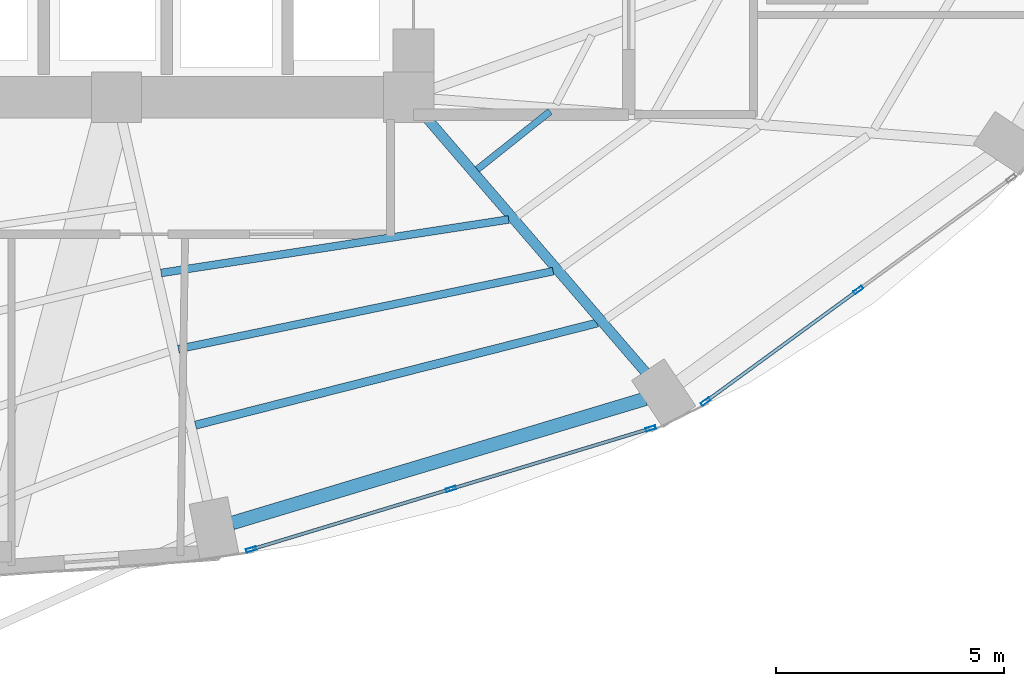
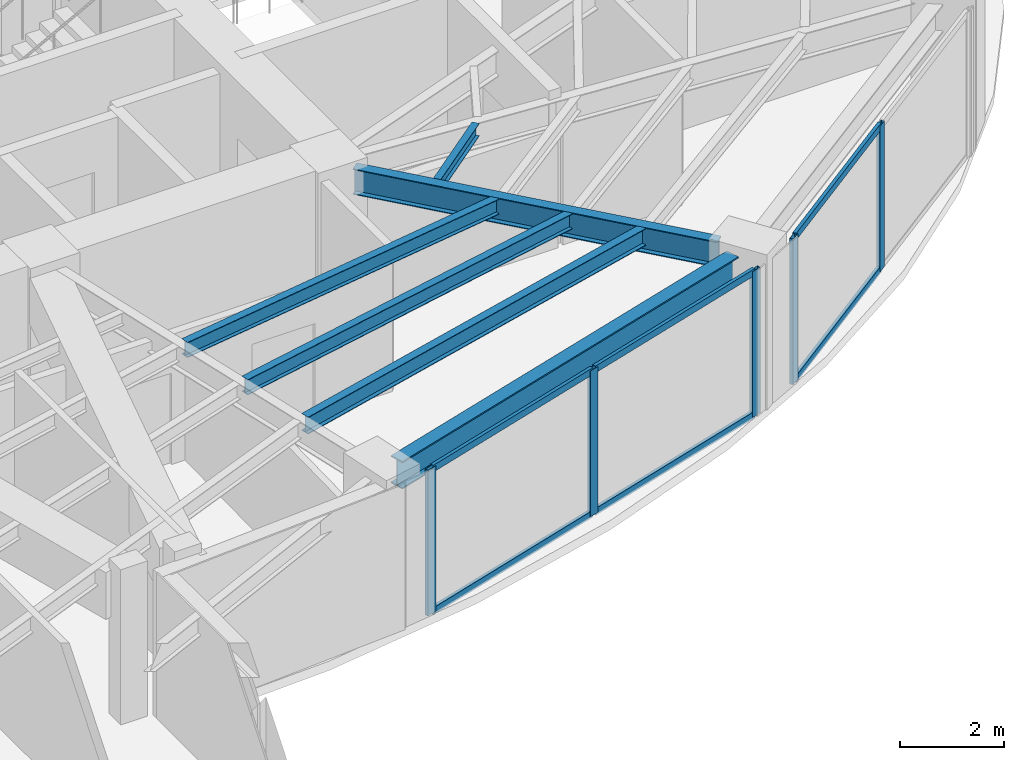
# One storey, part 9 of 25: 11 members, 6 beams, 2 elements without a shape of their own.
"""IFC4 building model written with IfcOpenShell, lengths in metres."""

from ifc_helpers import new_model, si_unit, direction, frame, origin, origin_2d, place, context, subcontext, project, spatial, hollow_rectangle, i_section, extrude, material, layer, layer_set, material_profile, profile_set, type_object, element, aggregate, save


model = new_model("IFC4")

# Units and contexts
model_context = context("Model", 3, precision=1e-05, world=origin(), true_north=direction((0.0, 1.0)))
body_context = subcontext(model_context, "Body", "Model", "MODEL_VIEW")
ifc_project = project(units=[si_unit("LENGTHUNIT", "METRE"), si_unit("AREAUNIT", "SQUARE_METRE"), si_unit("VOLUMEUNIT", "CUBIC_METRE"), si_unit("PLANEANGLEUNIT", "RADIAN"), si_unit("MASSUNIT", "GRAM", prefix="KILO")], contexts=[model_context])

# Site, building, storey
site_placement = place(None, origin())
site = spatial("IfcSite", under=ifc_project, at=site_placement, CompositionType="ELEMENT")
building_placement = place(site_placement, origin())
building = spatial("IfcBuilding", under=site, at=building_placement, Name="Lazwardi Medical Tower", CompositionType="ELEMENT")
storey_placement = place(building_placement, frame((0.0, 0.0, 32.49609375)))
storey = spatial("IfcBuildingStorey", under=building, at=storey_placement, Name="L07", CompositionType="ELEMENT", Elevation=32.49609375)

# Beams
ifc_material_1 = material(Name="Steel S355", Category="steel")
ifc_material_profile_1 = material_profile(ifc_material_1, i_section(OverallWidth=0.300048828125, OverallDepth=0.64990234375, WebThickness=0.01611328125, FlangeThickness=0.031005859375, at=origin_2d()), Name="HEB 650")
ifc_profile_set_1 = profile_set([ifc_material_profile_1], Name="Steel S355")
beam_type_1 = type_object("IfcBeamType", Name="BM-RB-Z1", PredefinedType="BEAM", material=ifc_profile_set_1)
beam_1_placement = place(storey_placement, frame((41.73291015625, 11.076904296875, 3.10302734375), z_axis=(0.957695289269, 0.287784177662, 0.0), x_axis=(-0.287784177662, 0.957695289269, 0.0)))
element("IfcBeam", 1, at=beam_1_placement, inside=storey, type_object=beam_type_1, Name="Ring beam RB-02 B01 L07", PredefinedType="BEAM", context=body_context, shape_type="SweptSolid", body=[
    extrude(i_section(OverallWidth=0.300048828125, OverallDepth=0.64990234375, WebThickness=0.01611328125, FlangeThickness=0.031005859375, at=origin_2d()), origin(), (0.0, 0.0, 1.0), 9.445556640625),
])
ifc_material_profile_2 = material_profile(ifc_material_1, i_section(OverallWidth=0.219970703125, OverallDepth=0.60009765625, WebThickness=0.011962890625, FlangeThickness=0.01904296875, at=origin_2d()), Name="IPE 600")
ifc_profile_set_2 = profile_set([ifc_material_profile_2], Name="Steel S355")
beam_type_2 = type_object("IfcBeamType", Name="BM-RG-W1", PredefinedType="BEAM", material=ifc_profile_set_2)
beam_2_placement = place(storey_placement, frame((50.802490234375, 14.355712890625, 3.1279296875), z_axis=(-0.652368190463, 0.757902199543, 0.0), x_axis=(-0.757902199543, -0.652368190463, 0.0)))
element("IfcBeam", 2, at=beam_2_placement, inside=storey, type_object=beam_type_2, Name="Radial girder RG-02 R02 L07", PredefinedType="BEAM", context=body_context, shape_type="SweptSolid", body=[
    extrude(i_section(OverallWidth=0.219970703125, OverallDepth=0.60009765625, WebThickness=0.011962890625, FlangeThickness=0.01904296875, at=origin_2d()), origin(), (0.0, 0.0, 1.0), 7.43994140625),
])
ifc_material_profile_3 = material_profile(ifc_material_1, i_section(OverallWidth=0.179931640625, OverallDepth=0.39990234375, WebThickness=0.008544921875, FlangeThickness=0.013427734375, at=origin_2d()), Name="IPE 400")
ifc_profile_set_3 = profile_set([ifc_material_profile_3], Name="Steel S355")
beam_type_3 = type_object("IfcBeamType", Name="BM-SJ-01", PredefinedType="JOIST", material=ifc_profile_set_3)
beam_3_placement = place(storey_placement, frame((40.927734375, 13.218994140625, 3.22802734375), z_axis=(0.969151012048, 0.246467677081, 0.0), x_axis=(-0.246467677081, 0.969151012048, 0.0)))
element("IfcBeam", 3, at=beam_3_placement, inside=storey, type_object=beam_type_3, Name="Secondary joist SJ-01 R1 B01 L07", PredefinedType="JOIST", context=body_context, shape_type="SweptSolid", body=[
    extrude(i_section(OverallWidth=0.179931640625, OverallDepth=0.39990234375, WebThickness=0.008544921875, FlangeThickness=0.013427734375, at=origin_2d()), origin(), (0.0, 0.0, 1.0), 9.08251953125),
])
ifc_material_profile_4 = material_profile(ifc_material_1, i_section(OverallWidth=0.169921875, OverallDepth=0.360107421875, WebThickness=0.008056640625, FlangeThickness=0.0126953125, at=origin_2d()), Name="IPE 360")
ifc_profile_set_4 = profile_set([ifc_material_profile_4], Name="Steel S355")
beam_type_4 = type_object("IfcBeamType", Name="BM-SJ-02", PredefinedType="JOIST", material=ifc_profile_set_4)
beam_4_placement = place(storey_placement, frame((40.5517578125, 14.885498046875, 3.247802734375), z_axis=(0.979107693723, 0.203342381445, 0.0), x_axis=(-0.203342381445, 0.979107693723, 0.0)))
element("IfcBeam", 4, at=beam_4_placement, inside=storey, type_object=beam_type_4, Name="Secondary joist SJ-02 R2 B01 L07", PredefinedType="JOIST", context=body_context, shape_type="SweptSolid", body=[
    extrude(i_section(OverallWidth=0.169921875, OverallDepth=0.360107421875, WebThickness=0.008056640625, FlangeThickness=0.0126953125, at=origin_2d()), origin(), (0.0, 0.0, 1.0), 8.381591796875),
])
beam_5_placement = place(storey_placement, frame((40.175537109375, 16.551513671875, 3.247802734375), z_axis=(0.988362899594, 0.152114360618, 0.0), x_axis=(-0.152114360618, 0.988362899594, 0.0)))
element("IfcBeam", 5, at=beam_5_placement, inside=storey, type_object=beam_type_4, Name="Secondary joist SJ-02 R3 B01 L07", PredefinedType="JOIST", context=body_context, shape_type="SweptSolid", body=[
    extrude(i_section(OverallWidth=0.169921875, OverallDepth=0.360107421875, WebThickness=0.008056640625, FlangeThickness=0.0126953125, at=origin_2d()), origin(), (0.0, 0.0, 1.0), 7.70068359375),
])
ifc_material_profile_5 = material_profile(ifc_material_1, i_section(OverallWidth=0.14990234375, OverallDepth=0.300048828125, WebThickness=0.007080078125, FlangeThickness=0.0107421875, at=origin_2d()), Name="IPE 300")
ifc_profile_set_5 = profile_set([ifc_material_profile_5], Name="Steel S355")
beam_type_5 = type_object("IfcBeamType", Name="BM-SJ-03", PredefinedType="JOIST", material=ifc_profile_set_5)
beam_6_placement = place(storey_placement, frame((47.098876953125, 18.8193359375, 3.27783203125), z_axis=(0.782210957226, 0.623013658274, 0.0), x_axis=(-0.623013658274, 0.782210957226, 0.0)))
element("IfcBeam", 6, at=beam_6_placement, inside=storey, type_object=beam_type_5, Name="Secondary joist SJ-03 R4 B02 L07", PredefinedType="JOIST", context=body_context, shape_type="SweptSolid", body=[
    extrude(i_section(OverallWidth=0.14990234375, OverallDepth=0.300048828125, WebThickness=0.007080078125, FlangeThickness=0.0107421875, at=origin_2d()), origin(), (0.0, 0.0, 1.0), 2.0380859375),
])

# Curtain wall, members
ifc_material_2 = material(Name="Anodised bronze aluminium and solar control glazing", Category="aluminium")
ifc_layer = layer(ifc_material_2, 0.199951171875)
ifc_layer_set = layer_set([ifc_layer], Name="Anodised bronze aluminium and solar control glazing")
curtain_wall_type = type_object("IfcCurtainWallType", Name="CW-SYS-02", PredefinedType="NOTDEFINED", material=ifc_layer_set)
curtain_wall_1_placement = place(storey_placement, origin())
curtain_wall_1 = element("IfcCurtainWall", 7, at=curtain_wall_1_placement, inside=storey, type_object=curtain_wall_type, Name="L07 Unitised bronze curtain wall CW-02", PredefinedType="NOTDEFINED")
ifc_material_3 = material(Name="Anodised bronze aluminium", Category="aluminium")
ifc_material_profile_6 = material_profile(ifc_material_3, hollow_rectangle(XDim=0.074951171875, YDim=0.219970703125, WallThickness=0.00390625, at=origin_2d()), Name="ALU-MULLION 220x75x4")
ifc_profile_set_6 = profile_set([ifc_material_profile_6], Name="Anodised bronze aluminium")
member_type_1 = type_object("IfcMemberType", Name="CW-MUL-01", PredefinedType="MULLION", material=ifc_profile_set_6)
member_1_placement = place(storey_placement, frame((42.14794921875, 10.496337890625, 0.0), z_axis=(0.0, 0.0, 1.0), x_axis=(-0.2898956909, 0.957058247129, 0.0)))
member_1 = element("IfcMember", 8, at=member_1_placement, type_object=member_type_1, Name="CW-02 mullion 1", PredefinedType="MULLION", context=body_context, shape_type="SweptSolid", body=[
    extrude(hollow_rectangle(XDim=0.074951171875, YDim=0.219970703125, WallThickness=0.00390625, at=origin_2d()), origin(), (0.0, 0.0, 1.0), 3.427978515625),
])
member_2_placement = place(storey_placement, frame((46.523193359375, 11.821533203125, 0.0), z_axis=(0.0, 0.0, 1.0), x_axis=(-0.2898956909, 0.957058247129, 0.0)))
member_2 = element("IfcMember", 9, at=member_2_placement, type_object=member_type_1, Name="CW-02 mullion 2", PredefinedType="MULLION", context=body_context, shape_type="SweptSolid", body=[
    extrude(hollow_rectangle(XDim=0.074951171875, YDim=0.219970703125, WallThickness=0.00390625, at=origin_2d()), origin(), (0.0, 0.0, 1.0), 3.427978515625),
])
member_3_placement = place(storey_placement, frame((50.8984375, 13.146728515625, 0.0), z_axis=(0.0, 0.0, 1.0), x_axis=(-0.2898956909, 0.957058247129, 0.0)))
member_3 = element("IfcMember", 10, at=member_3_placement, type_object=member_type_1, Name="CW-02 mullion 3", PredefinedType="MULLION", context=body_context, shape_type="SweptSolid", body=[
    extrude(hollow_rectangle(XDim=0.074951171875, YDim=0.219970703125, WallThickness=0.00390625, at=origin_2d()), origin(), (0.0, 0.0, 1.0), 3.427978515625),
])

curtain_wall_2_placement = place(storey_placement, origin())
curtain_wall_2 = element("IfcCurtainWall", 11, at=curtain_wall_2_placement, inside=storey, type_object=curtain_wall_type, Name="L07 Unitised bronze curtain wall CW-02", PredefinedType="NOTDEFINED")
member_4_placement = place(storey_placement, frame((52.0986328125, 13.73388671875, 0.0), z_axis=(0.0, 0.0, 1.0), x_axis=(-0.590289307341, 0.807191757663, 0.0)))
member_4 = element("IfcMember", 12, at=member_4_placement, type_object=member_type_1, Name="CW-02 mullion 1", PredefinedType="MULLION", context=body_context, shape_type="SweptSolid", body=[
    extrude(hollow_rectangle(XDim=0.074951171875, YDim=0.219970703125, WallThickness=0.00390625, at=origin_2d()), origin(), (0.0, 0.0, 1.0), 3.427978515625),
])
member_5_placement = place(storey_placement, frame((55.4443359375, 16.1806640625, 0.0), z_axis=(0.0, 0.0, 1.0), x_axis=(-0.590289307341, 0.807191757663, 0.0)))
member_5 = element("IfcMember", 13, at=member_5_placement, type_object=member_type_1, Name="CW-02 mullion 2", PredefinedType="MULLION", context=body_context, shape_type="SweptSolid", body=[
    extrude(hollow_rectangle(XDim=0.074951171875, YDim=0.219970703125, WallThickness=0.00390625, at=origin_2d()), origin(), (0.0, 0.0, 1.0), 3.427978515625),
])

# Member
ifc_material_profile_7 = material_profile(ifc_material_3, hollow_rectangle(XDim=0.074951171875, YDim=0.159912109375, WallThickness=0.00390625, at=origin_2d()), Name="ALU-TRANSOM 160x75x4")
ifc_profile_set_7 = profile_set([ifc_material_profile_7], Name="Anodised bronze aluminium")
member_type_2 = type_object("IfcMemberType", Name="CW-TRN-01", PredefinedType="USERDEFINED", material=ifc_profile_set_7)
member_6_placement = place(storey_placement, frame((42.183837890625, 10.507080078125, 0.037353515625), z_axis=(0.957047233423, 0.28993204893, 0.0), x_axis=(-0.28993204893, 0.957047233423, 0.0)))
member_6 = element("IfcMember", 14, at=member_6_placement, type_object=member_type_2, Name="CW-02 transom 1.1", ObjectType="TRANSOM", PredefinedType="USERDEFINED", context=body_context, shape_type="SweptSolid", body=[
    extrude(hollow_rectangle(XDim=0.074951171875, YDim=0.159912109375, WallThickness=0.00390625, at=origin_2d()), origin(), (0.0, 0.0, 1.0), 4.49658203125),
])

member_7_placement = place(storey_placement, frame((42.183837890625, 10.507080078125, 3.390380859375), z_axis=(0.957047233423, 0.28993204893, 0.0), x_axis=(-0.28993204893, 0.957047233423, 0.0)))
member_7 = element("IfcMember", 15, at=member_7_placement, type_object=member_type_2, Name="CW-02 transom 1.2", ObjectType="TRANSOM", PredefinedType="USERDEFINED", context=body_context, shape_type="SweptSolid", body=[
    extrude(hollow_rectangle(XDim=0.074951171875, YDim=0.159912109375, WallThickness=0.00390625, at=origin_2d()), origin(), (0.0, 0.0, 1.0), 4.49658203125),
])

member_8_placement = place(storey_placement, frame((46.55908203125, 11.83251953125, 0.037353515625), z_axis=(0.957062297904, 0.289882317383, 0.0), x_axis=(-0.289882317383, 0.957062297904, 0.0)))
member_8 = element("IfcMember", 16, at=member_8_placement, type_object=member_type_2, Name="CW-02 transom 2.1", ObjectType="TRANSOM", PredefinedType="USERDEFINED", context=body_context, shape_type="SweptSolid", body=[
    extrude(hollow_rectangle(XDim=0.074951171875, YDim=0.159912109375, WallThickness=0.00390625, at=origin_2d()), origin(), (0.0, 0.0, 1.0), 4.49658203125),
])

member_9_placement = place(storey_placement, frame((46.55908203125, 11.83251953125, 3.390380859375), z_axis=(0.957062297904, 0.289882317383, 0.0), x_axis=(-0.289882317383, 0.957062297904, 0.0)))
member_9 = element("IfcMember", 17, at=member_9_placement, type_object=member_type_2, Name="CW-02 transom 2.2", ObjectType="TRANSOM", PredefinedType="USERDEFINED", context=body_context, shape_type="SweptSolid", body=[
    extrude(hollow_rectangle(XDim=0.074951171875, YDim=0.159912109375, WallThickness=0.00390625, at=origin_2d()), origin(), (0.0, 0.0, 1.0), 4.49658203125),
])

aggregate(curtain_wall_1, [member_1, member_2, member_3, member_6, member_7, member_8, member_9])

member_10_placement = place(storey_placement, frame((52.12890625, 13.756103515625, 0.037353515625), z_axis=(0.807197636578, 0.590281268128, 0.0), x_axis=(-0.590281268128, 0.807197636578, 0.0)))
member_10 = element("IfcMember", 18, at=member_10_placement, type_object=member_type_2, Name="CW-02 transom 1.1", ObjectType="TRANSOM", PredefinedType="USERDEFINED", context=body_context, shape_type="SweptSolid", body=[
    extrude(hollow_rectangle(XDim=0.074951171875, YDim=0.159912109375, WallThickness=0.00390625, at=origin_2d()), origin(), (0.0, 0.0, 1.0), 4.06982421875),
])

member_11_placement = place(storey_placement, frame((52.12890625, 13.756103515625, 3.390380859375), z_axis=(0.807197636578, 0.590281268128, 0.0), x_axis=(-0.590281268128, 0.807197636578, 0.0)))
member_11 = element("IfcMember", 19, at=member_11_placement, type_object=member_type_2, Name="CW-02 transom 1.2", ObjectType="TRANSOM", PredefinedType="USERDEFINED", context=body_context, shape_type="SweptSolid", body=[
    extrude(hollow_rectangle(XDim=0.074951171875, YDim=0.159912109375, WallThickness=0.00390625, at=origin_2d()), origin(), (0.0, 0.0, 1.0), 4.06982421875),
])

aggregate(curtain_wall_2, [member_4, member_5, member_10, member_11])

save(model, "model.ifc")
